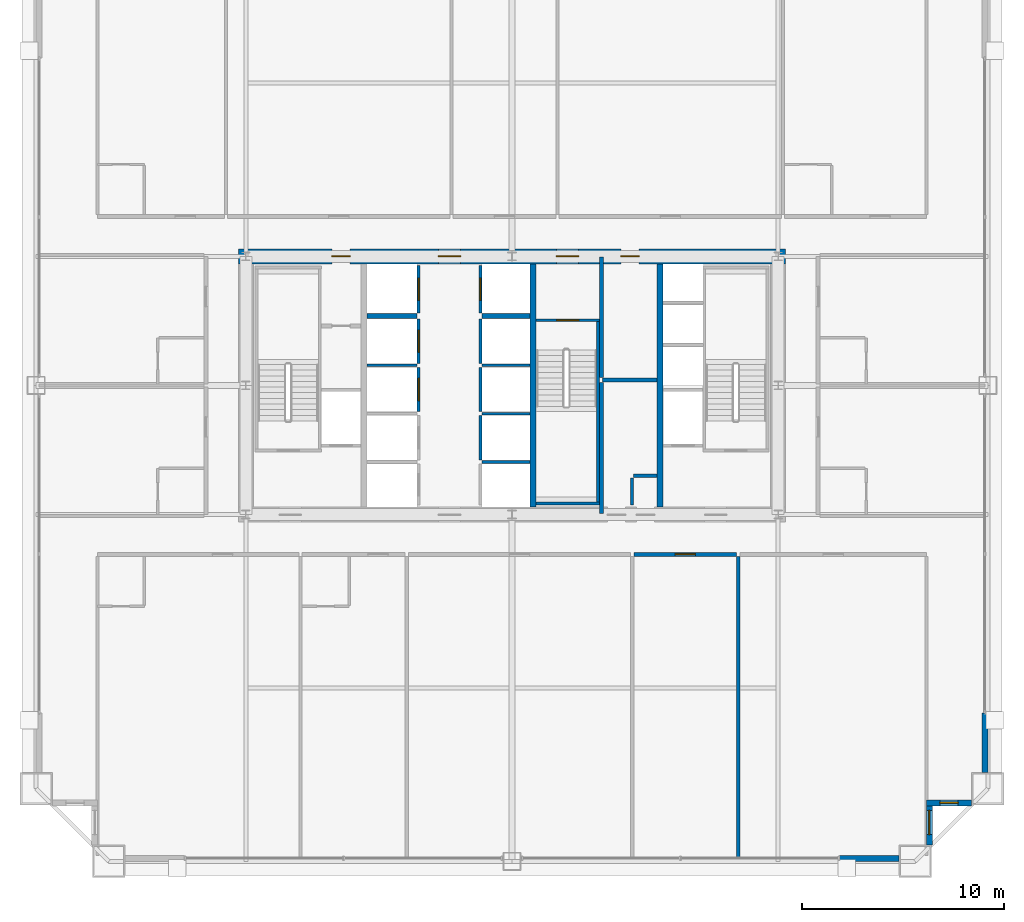
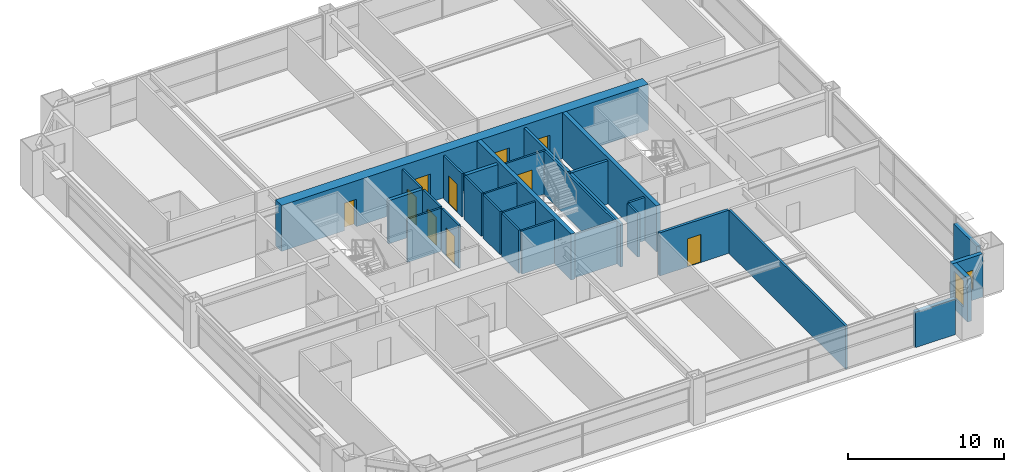
# One storey, part 36 of 39: 30 walls, 10 doors, 2 windows, 12 openings.
"""IFC4 building model written with IfcOpenShell, lengths in metres."""

from ifc_helpers import new_model, si_unit, direction, frame, frame_2d, origin, place, context, subcontext, project, spatial, rectangle, extrude, source, transform, mapped, material, layer, layer_set, type_object, element, fill, save


model = new_model("IFC4")

# Units and contexts
model_context = context("Model", 3, precision=1e-05, world=origin(), true_north=direction((0.0, 1.0)))
body_context = subcontext(model_context, "Body", "Model", "MODEL_VIEW")
ifc_project = project(units=[si_unit("LENGTHUNIT", "METRE"), si_unit("AREAUNIT", "SQUARE_METRE"), si_unit("VOLUMEUNIT", "CUBIC_METRE"), si_unit("PLANEANGLEUNIT", "RADIAN"), si_unit("MASSUNIT", "GRAM", prefix="KILO"), si_unit("THERMODYNAMICTEMPERATUREUNIT", "KELVIN"), si_unit("POWERUNIT", "WATT")], contexts=[model_context])

# Site, building, storey
site_placement = place(None, origin())
site = spatial("IfcSite", under=ifc_project, at=site_placement, CompositionType="ELEMENT")
building_placement = place(site_placement, origin())
building = spatial("IfcBuilding", under=site, at=building_placement, Name="Yuzanri Waterfront Tower", CompositionType="ELEMENT")
storey_placement = place(building_placement, frame((0.0, 0.0, 134.39990234375)))
storey = spatial("IfcBuildingStorey", under=building, at=storey_placement, Name="L35", CompositionType="ELEMENT", Elevation=134.39990234375)

# Wall, opening, window
ifc_material_1 = material(Name="Honed Chongqing Dark Basalt Stone", Category="masonry")
ifc_layer_1 = layer(ifc_material_1, 0.300048828125)
ifc_layer_set_1 = layer_set([ifc_layer_1], Name="Honed Chongqing Dark Basalt Stone")
wall_type_1 = type_object("IfcWallType", Name="Bronze Rainscreen Insulated Spandrel Portal Wall 300", PredefinedType="SOLIDWALL", material=ifc_layer_set_1)
wall_1_placement = place(storey_placement, frame((57.550048828125, 5.10009765625, 0.0), z_axis=(0.0, 0.0, 1.0), x_axis=(1.0, 0.0, 0.0)))
wall_1 = element("IfcWall", 1, at=wall_1_placement, inside=storey, type_object=wall_type_1, Name="L35 Notched Corner Masonry Wall SE-X", PredefinedType="SOLIDWALL", context=body_context, shape_type="SweptSolid", body=[
    extrude(rectangle(XDim=2.25, YDim=0.300048828125, at=frame_2d((1.125, 0.0))), origin(), (0.0, 0.0, 1.0), 3.380126953125),
])
opening_1_placement = place(wall_1_placement, frame((0.675048828125, 0.0, 0.85009765625)))
opening_1 = element("IfcOpeningElement", 2, at=opening_1_placement, cuts=wall_1, Name="Opening WN-05", PredefinedType="OPENING", context=body_context, shape_type="SweptSolid", body=[
    extrude(rectangle(XDim=0.89990234375, YDim=1.5, at=frame_2d((0.449951171875, 0.75))), frame((0.0, 0.1650390625, 0.0), z_axis=(0.0, -1.0, 0.0), x_axis=(1.0, 0.0, 0.0)), (0.0, 0.0, 1.0), 0.329833984375),
])
ifc_material_2 = material(Name="Double-Silver Low-E Insulated Glass", Category="glass")
window_type_1 = type_object("IfcWindowType", Name="Anodized Bronze Service and Stairwell Smoke-Vent Window 900x1500", PartitioningType="SINGLE_PANEL", PredefinedType="WINDOW", material=ifc_material_2)
shared_shape_1 = source(origin(), body_context, "Body", "SweptSolid", [
    extrude(rectangle(XDim=0.89990234375, YDim=1.5, at=frame_2d((0.449951171875, 0.75))), frame((0.0, 0.030029296875, 0.0), z_axis=(0.0, -1.0, 0.0), x_axis=(1.0, 0.0, 0.0)), (0.0, 0.0, 1.0), 0.06005859375),
])
window_1_placement = place(opening_1_placement, origin())
window_1 = element("IfcWindow", 3, at=window_1_placement, inside=storey, type_object=window_type_1, Name="L35 Notched Corner Window SE-X", OverallHeight=1.5, OverallWidth=0.89990234375, PartitioningType="SINGLE_PANEL", PredefinedType="WINDOW", context=body_context, shape_type="MappedRepresentation", body=[
    mapped(shared_shape_1, transform((0.0, 0.0, 0.0), scale=1.0)),
])
fill(opening_1, window_1)

wall_2_placement = place(storey_placement, frame((57.699951171875, 3.0, 0.0), z_axis=(0.0, 0.0, 1.0), x_axis=(0.0, 1.0, 0.0)))
wall_2 = element("IfcWall", 4, at=wall_2_placement, inside=storey, type_object=wall_type_1, Name="L35 Notched Corner Masonry Wall SE-Y", PredefinedType="SOLIDWALL", context=body_context, shape_type="SweptSolid", body=[
    extrude(rectangle(XDim=2.25, YDim=0.300048828125, at=frame_2d((1.125, 0.0))), origin(), (0.0, 0.0, 1.0), 3.380126953125),
])
opening_2_placement = place(wall_2_placement, frame((0.52490234375, 0.0, 0.85009765625)))
opening_2 = element("IfcOpeningElement", 5, at=opening_2_placement, cuts=wall_2, Name="Opening WN-02", PredefinedType="OPENING", context=body_context, shape_type="SweptSolid", body=[
    extrude(rectangle(XDim=1.199951171875, YDim=2.10009765625, at=frame_2d((0.60009765625, 1.050048828125))), frame((0.0, 0.1650390625, 0.0), z_axis=(0.0, -1.0, 0.0), x_axis=(1.0, 0.0, 0.0)), (0.0, 0.0, 1.0), 0.329833984375),
])
ifc_material_3 = material(Name="Double-Silver Low-E Insulated Glass", Category="glass")
window_type_2 = type_object("IfcWindowType", Name="Anodized Bronze Notched Corner Deep-Set Slot Window 1200x2100", PartitioningType="SINGLE_PANEL", PredefinedType="WINDOW", material=ifc_material_3)
shared_shape_2 = source(origin(), body_context, "Body", "SweptSolid", [
    extrude(rectangle(XDim=1.199951171875, YDim=2.10009765625, at=frame_2d((0.60009765625, 1.050048828125))), frame((0.0, 0.030029296875, 0.0), z_axis=(0.0, -1.0, 0.0), x_axis=(1.0, 0.0, 0.0)), (0.0, 0.0, 1.0), 0.06005859375),
])
window_2_placement = place(opening_2_placement, origin())
window_2 = element("IfcWindow", 6, at=window_2_placement, inside=storey, type_object=window_type_2, Name="L35 Notched Corner Window SE-Y", OverallHeight=2.10009765625, OverallWidth=1.199951171875, PartitioningType="SINGLE_PANEL", PredefinedType="WINDOW", context=body_context, shape_type="MappedRepresentation", body=[
    mapped(shared_shape_2, transform((0.0, 0.0, 0.0), scale=1.0)),
])
fill(opening_2, window_2)

# Wall, openings, doors
ifc_material_4 = material(Name="Concrete C55", Category="concrete")
ifc_layer_2 = layer(ifc_material_4, 0.75)
ifc_layer_set_2 = layer_set([ifc_layer_2], Name="Concrete C55")
wall_type_2 = type_object("IfcWallType", Name="Concrete C55 Low-Mid Zone Core Shear Wall 750", PredefinedType="SHEAR", material=ifc_layer_set_2)
wall_3_placement = place(storey_placement, frame((23.425048828125, 32.199951171875, 0.0), z_axis=(0.0, 0.0, 1.0), x_axis=(1.0, 0.0, 0.0)))
wall_3 = element("IfcWall", 7, at=wall_3_placement, inside=storey, type_object=wall_type_2, Name="L35 Core North Shear Wall", PredefinedType="SHEAR", context=body_context, shape_type="SweptSolid", body=[
    extrude(rectangle(XDim=27.14990234375, YDim=0.75, at=frame_2d((13.574951171875, 0.0))), origin(), (0.0, 0.0, 1.0), 3.60009765625),
])
opening_3_placement = place(wall_3_placement, frame((4.64501953125, 0.0, 0.0)))
opening_3 = element("IfcOpeningElement", 8, at=opening_3_placement, cuts=wall_3, Name="Opening FD-0900", PredefinedType="OPENING", context=body_context, shape_type="SweptSolid", body=[
    extrude(rectangle(XDim=0.89990234375, YDim=2.14990234375, at=frame_2d((0.449951171875, 1.074951171875))), frame((0.0, 0.389892578125, 0.0), z_axis=(0.0, -1.0, 0.0), x_axis=(1.0, 0.0, 0.0)), (0.0, 0.0, 1.0), 0.77978515625),
])
opening_4_placement = place(wall_3_placement, frame((9.925048828125, 0.0, 0.0)))
opening_4 = element("IfcOpeningElement", 9, at=opening_4_placement, cuts=wall_3, Name="Opening FD-1100", PredefinedType="OPENING", context=body_context, shape_type="SweptSolid", body=[
    extrude(rectangle(XDim=1.10009765625, YDim=2.199951171875, at=frame_2d((0.550048828125, 1.10009765625))), frame((0.0, 0.389892578125, 0.0), z_axis=(0.0, -1.0, 0.0), x_axis=(1.0, 0.0, 0.0)), (0.0, 0.0, 1.0), 0.77978515625),
])
opening_5_placement = place(wall_3_placement, frame((15.77490234375, 0.0, 0.0)))
opening_5 = element("IfcOpeningElement", 10, at=opening_5_placement, cuts=wall_3, Name="Opening FD-1100", PredefinedType="OPENING", context=body_context, shape_type="SweptSolid", body=[
    extrude(rectangle(XDim=1.10009765625, YDim=2.199951171875, at=frame_2d((0.550048828125, 1.10009765625))), frame((0.0, 0.389892578125, 0.0), z_axis=(0.0, -1.0, 0.0), x_axis=(1.0, 0.0, 0.0)), (0.0, 0.0, 1.0), 0.77978515625),
])
opening_6_placement = place(wall_3_placement, frame((18.97509765625, 0.0, 0.0)))
opening_6 = element("IfcOpeningElement", 11, at=opening_6_placement, cuts=wall_3, Name="Opening FD-0900", PredefinedType="OPENING", context=body_context, shape_type="SweptSolid", body=[
    extrude(rectangle(XDim=0.89990234375, YDim=2.14990234375, at=frame_2d((0.449951171875, 1.074951171875))), frame((0.0, 0.389892578125, 0.0), z_axis=(0.0, -1.0, 0.0), x_axis=(1.0, 0.0, 0.0)), (0.0, 0.0, 1.0), 0.77978515625),
])
ifc_material_5 = material(Name="Painted Galvanized Fire Steel", Category="steel")
door_type_1 = type_object("IfcDoorType", Name="Smoke-Proof Stair and Lobby Fire Door 1100x2200", OperationType="NOTDEFINED", PredefinedType="DOOR", material=ifc_material_5)
shared_shape_3 = source(origin(), body_context, "Body", "SweptSolid", [
    extrude(rectangle(XDim=1.10009765625, YDim=2.199951171875, at=frame_2d((0.550048828125, 1.10009765625))), frame((0.0, 0.02490234375, 0.0), z_axis=(0.0, -1.0, 0.0), x_axis=(1.0, 0.0, 0.0)), (0.0, 0.0, 1.0), 0.050048828125),
])
door_1_placement = place(opening_4_placement, origin())
door_1 = element("IfcDoor", 12, at=door_1_placement, inside=storey, type_object=door_type_1, Name="L35 Central Lift Lobby North Door", OperationType="SINGLE_SWING_LEFT", OverallHeight=2.199951171875, OverallWidth=1.10009765625, PredefinedType="DOOR", context=body_context, shape_type="MappedRepresentation", body=[
    mapped(shared_shape_3, transform((0.0, 0.0, 0.0), scale=1.0)),
])
fill(opening_4, door_1)
door_2_placement = place(opening_5_placement, origin())
door_2 = element("IfcDoor", 13, at=door_2_placement, inside=storey, type_object=door_type_1, Name="L35 North Stair Lobby Door", OperationType="SINGLE_SWING_RIGHT", OverallHeight=2.199951171875, OverallWidth=1.10009765625, PredefinedType="DOOR", context=body_context, shape_type="MappedRepresentation", body=[
    mapped(shared_shape_3, transform((0.0, 0.0, 0.0), scale=1.0)),
])
fill(opening_5, door_2)
ifc_material_6 = material(Name="Painted Galvanized Fire Steel", Category="steel")
door_type_2 = type_object("IfcDoorType", Name="Riser and Service Room Fire Door 900x2150", OperationType="NOTDEFINED", PredefinedType="DOOR", material=ifc_material_6)
shared_shape_4 = source(origin(), body_context, "Body", "SweptSolid", [
    extrude(rectangle(XDim=0.89990234375, YDim=2.14990234375, at=frame_2d((0.449951171875, 1.074951171875))), frame((0.0, 0.02490234375, 0.0), z_axis=(0.0, -1.0, 0.0), x_axis=(1.0, 0.0, 0.0)), (0.0, 0.0, 1.0), 0.050048828125),
])
door_3_placement = place(opening_3_placement, origin())
door_3 = element("IfcDoor", 14, at=door_3_placement, inside=storey, type_object=door_type_2, Name="L35 Telecom Riser Door", OperationType="SINGLE_SWING_RIGHT", OverallHeight=2.14990234375, OverallWidth=0.89990234375, PredefinedType="DOOR", context=body_context, shape_type="MappedRepresentation", body=[
    mapped(shared_shape_4, transform((0.0, 0.0, 0.0), scale=1.0)),
])
fill(opening_3, door_3)
door_4_placement = place(opening_6_placement, origin())
door_4 = element("IfcDoor", 15, at=door_4_placement, inside=storey, type_object=door_type_2, Name="L35 Housekeeping Room", OperationType="SINGLE_SWING_RIGHT", OverallHeight=2.14990234375, OverallWidth=0.89990234375, PredefinedType="DOOR", context=body_context, shape_type="MappedRepresentation", body=[
    mapped(shared_shape_4, transform((0.0, 0.0, 0.0), scale=1.0)),
])
fill(opening_6, door_4)

# Wall, opening, door
ifc_material_7 = material(Name="Concrete C40", Category="concrete")
ifc_layer_3 = layer(ifc_material_7, 0.139892578125)
ifc_layer_set_3 = layer_set([ifc_layer_3], Name="Concrete C40")
wall_type_3 = type_object("IfcWallType", Name="Core Stair Liner and Hoistway Shaft Wall 140", PredefinedType="SOLIDWALL", material=ifc_layer_set_3)
wall_4_placement = place(storey_placement, frame((32.3701171875, 24.5, 0.0), z_axis=(0.0, 0.0, 1.0), x_axis=(0.0, 1.0, 0.0)))
wall_4 = element("IfcWall", 16, at=wall_4_placement, inside=storey, type_object=wall_type_3, Name="L35 Lift PL-03 Front Shaft Wall", PredefinedType="SOLIDWALL", context=body_context, shape_type="SweptSolid", body=[
    extrude(rectangle(XDim=2.199951171875, YDim=0.139892578125, at=frame_2d((1.10009765625, 0.0))), origin(), (0.0, 0.0, 1.0), 3.380126953125),
])
opening_7_placement = place(wall_4_placement, frame((0.550048828125, 0.0, 0.0)))
opening_7 = element("IfcOpeningElement", 17, at=opening_7_placement, cuts=wall_4, Name="Opening LD-PL-03", PredefinedType="OPENING", context=body_context, shape_type="SweptSolid", body=[
    extrude(rectangle(XDim=1.10009765625, YDim=2.199951171875, at=frame_2d((0.550048828125, 1.10009765625))), frame((0.0, 0.0849609375, 0.0), z_axis=(0.0, -1.0, 0.0), x_axis=(1.0, 0.0, 0.0)), (0.0, 0.0, 1.0), 0.169677734375),
])
ifc_material_8 = material(Name="Brushed Bronze and Stainless Steel Cab", Category="steel")
door_type_3 = type_object("IfcDoorType", Name="Center-Parting Bronze Lift Landing Sliding Door 1100x2200", OperationType="NOTDEFINED", PredefinedType="DOOR", material=ifc_material_8)
shared_shape_5 = source(origin(), body_context, "Body", "SweptSolid", [
    extrude(rectangle(XDim=1.10009765625, YDim=2.199951171875, at=frame_2d((0.550048828125, 1.10009765625))), frame((0.0, 0.02490234375, 0.0), z_axis=(0.0, -1.0, 0.0), x_axis=(1.0, 0.0, 0.0)), (0.0, 0.0, 1.0), 0.050048828125),
])
door_5_placement = place(opening_7_placement, origin())
door_5 = element("IfcDoor", 18, at=door_5_placement, inside=storey, type_object=door_type_3, Name="L35 PL-03 Lift Landing Sliding Door", OperationType="SLIDING_TO_LEFT", OverallHeight=2.199951171875, OverallWidth=1.10009765625, PredefinedType="DOOR", context=body_context, shape_type="MappedRepresentation", body=[
    mapped(shared_shape_5, transform((0.0, 0.0, 0.0), scale=1.0)),
])
fill(opening_7, door_5)

wall_5_placement = place(storey_placement, frame((32.3701171875, 26.89990234375, 0.0), z_axis=(0.0, 0.0, 1.0), x_axis=(0.0, 1.0, 0.0)))
wall_5 = element("IfcWall", 19, at=wall_5_placement, inside=storey, type_object=wall_type_3, Name="L35 Lift PL-04 Front Shaft Wall", PredefinedType="SOLIDWALL", context=body_context, shape_type="SweptSolid", body=[
    extrude(rectangle(XDim=2.2001953125, YDim=0.139892578125, at=frame_2d((1.10009765625, 0.0))), origin(), (0.0, 0.0, 1.0), 3.380126953125),
])
opening_8_placement = place(wall_5_placement, frame((0.550048828125, 0.0, 0.0)))
opening_8 = element("IfcOpeningElement", 20, at=opening_8_placement, cuts=wall_5, Name="Opening LD-PL-04", PredefinedType="OPENING", context=body_context, shape_type="SweptSolid", body=[
    extrude(rectangle(XDim=1.10009765625, YDim=2.199951171875, at=frame_2d((0.550048828125, 1.10009765625))), frame((0.0, 0.0849609375, 0.0), z_axis=(0.0, -1.0, 0.0), x_axis=(1.0, 0.0, 0.0)), (0.0, 0.0, 1.0), 0.169677734375),
])
door_6_placement = place(opening_8_placement, origin())
door_6 = element("IfcDoor", 21, at=door_6_placement, inside=storey, type_object=door_type_3, Name="L35 PL-04 Lift Landing Sliding Door", OperationType="SLIDING_TO_RIGHT", OverallHeight=2.199951171875, OverallWidth=1.10009765625, PredefinedType="DOOR", context=body_context, shape_type="MappedRepresentation", body=[
    mapped(shared_shape_5, transform((0.0, 0.0, 0.0), scale=1.0)),
])
fill(opening_8, door_6)

wall_6_placement = place(storey_placement, frame((32.3701171875, 29.39990234375, 0.0), z_axis=(0.0, 0.0, 1.0), x_axis=(0.0, 1.0, 0.0)))
wall_6 = element("IfcWall", 22, at=wall_6_placement, inside=storey, type_object=wall_type_3, Name="L35 Lift SL-01 Front Shaft Wall", PredefinedType="SOLIDWALL", context=body_context, shape_type="SweptSolid", body=[
    extrude(rectangle(XDim=2.340087890625, YDim=0.139892578125, at=frame_2d((1.169921875, 0.0))), origin(), (0.0, 0.0, 1.0), 3.380126953125),
])
opening_9_placement = place(wall_6_placement, frame((0.6201171875, 0.0, 0.0)))
opening_9 = element("IfcOpeningElement", 23, at=opening_9_placement, cuts=wall_6, Name="Opening LD-SL-01", PredefinedType="OPENING", context=body_context, shape_type="SweptSolid", body=[
    extrude(rectangle(XDim=1.10009765625, YDim=2.199951171875, at=frame_2d((0.550048828125, 1.10009765625))), frame((0.0, 0.0849609375, 0.0), z_axis=(0.0, -1.0, 0.0), x_axis=(1.0, 0.0, 0.0)), (0.0, 0.0, 1.0), 0.169677734375),
])
door_7_placement = place(opening_9_placement, origin())
door_7 = element("IfcDoor", 24, at=door_7_placement, inside=storey, type_object=door_type_3, Name="L35 SL-01 Lift Landing Sliding Door", OperationType="SLIDING_TO_LEFT", OverallHeight=2.199951171875, OverallWidth=1.10009765625, PredefinedType="DOOR", context=body_context, shape_type="MappedRepresentation", body=[
    mapped(shared_shape_5, transform((0.0, 0.0, 0.0), scale=1.0)),
])
fill(opening_9, door_7)

wall_7_placement = place(storey_placement, frame((35.429931640625, 29.39990234375, 0.0), z_axis=(0.0, 0.0, 1.0), x_axis=(0.0, 1.0, 0.0)))
wall_7 = element("IfcWall", 25, at=wall_7_placement, inside=storey, type_object=wall_type_3, Name="L35 Lift SL-02 Front Shaft Wall", PredefinedType="SOLIDWALL", context=body_context, shape_type="SweptSolid", body=[
    extrude(rectangle(XDim=2.340087890625, YDim=0.139892578125, at=frame_2d((1.169921875, 0.0))), origin(), (0.0, 0.0, 1.0), 3.380126953125),
])
opening_10_placement = place(wall_7_placement, frame((0.6201171875, 0.0, 0.0)))
opening_10 = element("IfcOpeningElement", 26, at=opening_10_placement, cuts=wall_7, Name="Opening LD-SL-02", PredefinedType="OPENING", context=body_context, shape_type="SweptSolid", body=[
    extrude(rectangle(XDim=1.10009765625, YDim=2.199951171875, at=frame_2d((0.550048828125, 1.10009765625))), frame((0.0, 0.0849609375, 0.0), z_axis=(0.0, -1.0, 0.0), x_axis=(1.0, 0.0, 0.0)), (0.0, 0.0, 1.0), 0.169677734375),
])
door_8_placement = place(opening_10_placement, origin())
door_8 = element("IfcDoor", 27, at=door_8_placement, inside=storey, type_object=door_type_3, Name="L35 SL-02 Lift Landing Sliding Door", OperationType="SLIDING_TO_RIGHT", OverallHeight=2.199951171875, OverallWidth=1.10009765625, PredefinedType="DOOR", context=body_context, shape_type="MappedRepresentation", body=[
    mapped(shared_shape_5, transform((0.0, 0.0, 0.0), scale=1.0)),
])
fill(opening_10, door_8)

wall_8_placement = place(storey_placement, frame((38.199951171875, 29.030029296875, 0.0), z_axis=(0.0, 0.0, 1.0), x_axis=(1.0, 0.0, 0.0)))
wall_8 = element("IfcWall", 28, at=wall_8_placement, inside=storey, type_object=wall_type_3, Name="L35 Shaft Wall STW-L35-ST-03-N", PredefinedType="SOLIDWALL", context=body_context, shape_type="SweptSolid", body=[
    extrude(rectangle(XDim=3.14013671875, YDim=0.139892578125, at=frame_2d((1.570068359375, 0.0))), origin(), (0.0, 0.0, 1.0), 3.380126953125),
])
opening_11_placement = place(wall_8_placement, frame((1.02001953125, 0.0, 0.0)))
opening_11 = element("IfcOpeningElement", 29, at=opening_11_placement, cuts=wall_8, Name="Opening FD-1100", PredefinedType="OPENING", context=body_context, shape_type="SweptSolid", body=[
    extrude(rectangle(XDim=1.10009765625, YDim=2.199951171875, at=frame_2d((0.550048828125, 1.10009765625))), frame((0.0, 0.0849609375, 0.0), z_axis=(0.0, -1.0, 0.0), x_axis=(1.0, 0.0, 0.0)), (0.0, 0.0, 1.0), 0.169677734375),
])
door_9_placement = place(opening_11_placement, origin())
door_9 = element("IfcDoor", 30, at=door_9_placement, inside=storey, type_object=door_type_1, Name="L35 Stair ST-03 Fire Door", OperationType="SINGLE_SWING_RIGHT", OverallHeight=2.199951171875, OverallWidth=1.10009765625, PredefinedType="DOOR", context=body_context, shape_type="MappedRepresentation", body=[
    mapped(shared_shape_3, transform((0.0, 0.0, 0.0), scale=1.0)),
])
fill(opening_11, door_9)

ifc_material_9 = material(Name="Autoclaved Aerated Concrete Blockwork", Category="masonry")
ifc_layer_4 = layer(ifc_material_9, 0.199951171875)
ifc_layer_set_4 = layer_set([ifc_layer_4], Name="Autoclaved Aerated Concrete Blockwork")
wall_type_4 = type_object("IfcWallType", Name="Corridor and Unit Party Fire Wall 200", PredefinedType="PARTITIONING", material=ifc_layer_set_4)
wall_9_placement = place(storey_placement, frame((43.0419921875, 17.419921875, 0.0), z_axis=(0.0, 0.0, 1.0), x_axis=(1.0, 0.0, 0.0)))
wall_9 = element("IfcWall", 31, at=wall_9_placement, inside=storey, type_object=wall_type_4, Name="L35 Partition UW-L35-S4-CN", PredefinedType="PARTITIONING", context=body_context, shape_type="SweptSolid", body=[
    extrude(rectangle(XDim=5.10400390625, YDim=0.199951171875, at=frame_2d((2.552001953125, 0.0))), origin(), (0.0, 0.0, 1.0), 3.380126953125),
])
opening_12_placement = place(wall_9_placement, frame((2.052001953125, 0.0, 0.0)))
opening_12 = element("IfcOpeningElement", 32, at=opening_12_placement, cuts=wall_9, Name="Opening FD-1000", PredefinedType="OPENING", context=body_context, shape_type="SweptSolid", body=[
    extrude(rectangle(XDim=1.0, YDim=2.199951171875, at=frame_2d((0.5, 1.10009765625))), frame((0.0, 0.11474609375, 0.0), z_axis=(0.0, -1.0, 0.0), x_axis=(1.0, 0.0, 0.0)), (0.0, 0.0, 1.0), 0.229736328125),
])
ifc_material_10 = material(Name="Engineered Oak Fire-Rated Timber", Category="wood")
door_type_4 = type_object("IfcDoorType", Name="Guestroom and Apartment Entrance Fire Door 1000x2200", OperationType="NOTDEFINED", PredefinedType="DOOR", material=ifc_material_10)
shared_shape_6 = source(origin(), body_context, "Body", "SweptSolid", [
    extrude(rectangle(XDim=1.0, YDim=2.199951171875, at=frame_2d((0.5, 1.10009765625))), frame((0.0, 0.02490234375, 0.0), z_axis=(0.0, -1.0, 0.0), x_axis=(1.0, 0.0, 0.0)), (0.0, 0.0, 1.0), 0.050048828125),
])
door_10_placement = place(opening_12_placement, origin())
door_10 = element("IfcDoor", 33, at=door_10_placement, inside=storey, type_object=door_type_4, Name="L35 Pilates Gym Studio Entrance Door", OperationType="SINGLE_SWING_RIGHT", OverallHeight=2.199951171875, OverallWidth=1.0, PredefinedType="DOOR", context=body_context, shape_type="MappedRepresentation", body=[
    mapped(shared_shape_6, transform((0.0, 0.0, 0.0), scale=1.0)),
])
fill(opening_12, door_10)

# Walls
ifc_material_11 = material(Name="Concrete C50", Category="concrete")
ifc_layer_5 = layer(ifc_material_11, 0.300048828125)
ifc_layer_set_5 = layer_set([ifc_layer_5], Name="Concrete C50")
wall_type_5 = type_object("IfcWallType", Name="Concrete C50 Internal Core Shaft Structural Wall 300", PredefinedType="SOLIDWALL", material=ifc_layer_set_5)
shared_shape_7 = source(origin(), body_context, "Body", "SweptSolid", [
    extrude(rectangle(XDim=12.050048828125, YDim=0.300048828125, at=frame_2d((6.02490234375, 0.0))), origin(), (0.0, 0.0, 1.0), 3.60009765625),
])
for number, where, z_axis, x_axis, name in (
    (34, (38.050048828125, 19.77490234375, 0.0), (0.0, 0.0, 1.0), (0.0, 1.0, 0.0), "L35 Core Internal Structural Web Wall 2"),
    (35, (44.35009765625, 19.77490234375, 0.0), (0.0, 0.0, 1.0), (0.0, 1.0, 0.0), "L35 Core Internal Structural Web Wall 3"),
):
    element("IfcWall", number, at=place(storey_placement, frame(where, z_axis=z_axis, x_axis=x_axis)), inside=storey, type_object=wall_type_5, Name=name, PredefinedType="SOLIDWALL", context=body_context, shape_type="MappedRepresentation", body=[
        mapped(shared_shape_7, transform((0.0, 0.0, 0.0), scale=1.0)),
    ])
shared_shape_8 = source(origin(), body_context, "Body", "SweptSolid", [
    extrude(rectangle(XDim=2.949951171875, YDim=0.300048828125, at=frame_2d((1.47509765625, 0.0))), origin(), (0.0, 0.0, 1.0), 2.775146484375),
])
for number, where, z_axis, x_axis, name in (
    (36, (53.25, 2.35009765625, 0.0), (0.0, 0.0, 1.0), (1.0, 0.0, 0.0), "L35 S Right Braced Masonry Shoulder"),
    (37, (60.449951171875, 6.60009765625, 0.0), (0.0, 0.0, 1.0), (0.0, 1.0, 0.0), "L35 E Left Braced Masonry Shoulder"),
):
    element("IfcWall", number, at=place(storey_placement, frame(where, z_axis=z_axis, x_axis=x_axis)), inside=storey, type_object=wall_type_1, Name=name, PredefinedType="SOLIDWALL", context=body_context, shape_type="MappedRepresentation", body=[
        mapped(shared_shape_8, transform((0.0, 0.0, 0.0), scale=1.0)),
    ])
shared_shape_9 = source(origin(), body_context, "Body", "SweptSolid", [
    extrude(rectangle(XDim=2.5, YDim=0.139892578125, at=frame_2d((1.25, 0.0))), origin(), (0.0, 0.0, 1.0), 3.380126953125),
])
wall_10_placement = place(storey_placement, frame((29.800048828125, 26.800048828125, 0.0), z_axis=(0.0, 0.0, 1.0), x_axis=(1.0, 0.0, 0.0)))
element("IfcWall", 38, at=wall_10_placement, inside=storey, type_object=wall_type_3, Name="L35 Lift PL-03 Divider Wall", PredefinedType="SOLIDWALL", context=body_context, shape_type="MappedRepresentation", body=[
    mapped(shared_shape_9, transform((0.0, 0.0, 0.0), scale=1.0)),
])
ifc_material_12 = material(Name="Concrete C40", Category="concrete")
ifc_layer_6 = layer(ifc_material_12, 0.25)
ifc_layer_set_6 = layer_set([ifc_layer_6], Name="Concrete C40")
wall_type_6 = type_object("IfcWallType", Name="Smoke-Proof Stair and Lift Shaft Wall 250", PredefinedType="SOLIDWALL", material=ifc_layer_set_6)
shared_shape_10 = source(origin(), body_context, "Body", "SweptSolid", [
    extrude(rectangle(XDim=2.5, YDim=0.25, at=frame_2d((1.25, 0.0))), origin(), (0.0, 0.0, 1.0), 3.380126953125),
])
wall_11_placement = place(storey_placement, frame((29.800048828125, 29.25, 0.0), z_axis=(0.0, 0.0, 1.0), x_axis=(1.0, 0.0, 0.0)))
element("IfcWall", 39, at=wall_11_placement, inside=storey, type_object=wall_type_6, Name="L35 Lift SL-01 South Shaft Wall", PredefinedType="SOLIDWALL", context=body_context, shape_type="MappedRepresentation", body=[
    mapped(shared_shape_10, transform((0.0, 0.0, 0.0), scale=1.0)),
])
shared_shape_11 = source(origin(), body_context, "Body", "SweptSolid", [
    extrude(rectangle(XDim=2.39990234375, YDim=0.139892578125, at=frame_2d((1.199951171875, 0.0))), origin(), (0.0, 0.0, 1.0), 3.380126953125),
])
for number, where, z_axis, x_axis, name in (
    (40, (35.5, 22.0, 0.0), (0.0, 0.0, 1.0), (1.0, 0.0, 0.0), "L35 Lift PL-05 Divider Wall"),
    (41, (35.5, 24.39990234375, 0.0), (0.0, 0.0, 1.0), (1.0, 0.0, 0.0), "L35 Lift PL-06 Divider Wall"),
    (42, (35.5, 26.800048828125, 0.0), (0.0, 0.0, 1.0), (1.0, 0.0, 0.0), "L35 Lift PL-07 Divider Wall"),
):
    element("IfcWall", number, at=place(storey_placement, frame(where, z_axis=z_axis, x_axis=x_axis)), inside=storey, type_object=wall_type_3, Name=name, PredefinedType="SOLIDWALL", context=body_context, shape_type="MappedRepresentation", body=[
        mapped(shared_shape_11, transform((0.0, 0.0, 0.0), scale=1.0)),
    ])
shared_shape_12 = source(origin(), body_context, "Body", "SweptSolid", [
    extrude(rectangle(XDim=2.199951171875, YDim=0.139892578125, at=frame_2d((1.10009765625, 0.0))), origin(), (0.0, 0.0, 1.0), 3.380126953125),
])
for number, where, z_axis, x_axis, name in (
    (43, (35.429931640625, 22.10009765625, 0.0), (0.0, 0.0, 1.0), (0.0, 1.0, 0.0), "L35 Lift PL-06 Front Shaft Wall"),
    (44, (35.429931640625, 24.5, 0.0), (0.0, 0.0, 1.0), (0.0, 1.0, 0.0), "L35 Lift PL-07 Front Shaft Wall"),
):
    element("IfcWall", number, at=place(storey_placement, frame(where, z_axis=z_axis, x_axis=x_axis)), inside=storey, type_object=wall_type_3, Name=name, PredefinedType="SOLIDWALL", context=body_context, shape_type="MappedRepresentation", body=[
        mapped(shared_shape_12, transform((0.0, 0.0, 0.0), scale=1.0)),
    ])
shared_shape_13 = source(origin(), body_context, "Body", "SweptSolid", [
    extrude(rectangle(XDim=2.2001953125, YDim=0.139892578125, at=frame_2d((1.10009765625, 0.0))), origin(), (0.0, 0.0, 1.0), 3.380126953125),
])
wall_12_placement = place(storey_placement, frame((35.429931640625, 26.89990234375, 0.0), z_axis=(0.0, 0.0, 1.0), x_axis=(0.0, 1.0, 0.0)))
element("IfcWall", 45, at=wall_12_placement, inside=storey, type_object=wall_type_3, Name="L35 Lift PL-08 Front Shaft Wall", PredefinedType="SOLIDWALL", context=body_context, shape_type="MappedRepresentation", body=[
    mapped(shared_shape_13, transform((0.0, 0.0, 0.0), scale=1.0)),
])
shared_shape_14 = source(origin(), body_context, "Body", "SweptSolid", [
    extrude(rectangle(XDim=2.39990234375, YDim=0.25, at=frame_2d((1.199951171875, 0.0))), origin(), (0.0, 0.0, 1.0), 3.380126953125),
])
wall_13_placement = place(storey_placement, frame((35.5, 29.25, 0.0), z_axis=(0.0, 0.0, 1.0), x_axis=(1.0, 0.0, 0.0)))
element("IfcWall", 46, at=wall_13_placement, inside=storey, type_object=wall_type_6, Name="L35 Lift SL-02 South Shaft Wall", PredefinedType="SOLIDWALL", context=body_context, shape_type="MappedRepresentation", body=[
    mapped(shared_shape_14, transform((0.0, 0.0, 0.0), scale=1.0)),
])
shared_shape_15 = source(origin(), body_context, "Body", "SweptSolid", [
    extrude(rectangle(XDim=3.14013671875, YDim=0.139892578125, at=frame_2d((1.570068359375, 0.0))), origin(), (0.0, 0.0, 1.0), 3.380126953125),
])
wall_14_placement = place(storey_placement, frame((38.199951171875, 19.949951171875, 0.0), z_axis=(0.0, 0.0, 1.0), x_axis=(1.0, 0.0, 0.0)))
element("IfcWall", 47, at=wall_14_placement, inside=storey, type_object=wall_type_3, Name="L35 Stair ST-03 South Shaft Wall", PredefinedType="SOLIDWALL", context=body_context, shape_type="MappedRepresentation", body=[
    mapped(shared_shape_15, transform((0.0, 0.0, 0.0), scale=1.0)),
])
shared_shape_16 = source(origin(), body_context, "Body", "SweptSolid", [
    extrude(rectangle(XDim=8.93994140625, YDim=0.139892578125, at=frame_2d((4.469970703125, 0.0))), origin(), (0.0, 0.0, 1.0), 3.380126953125),
])
wall_15_placement = place(storey_placement, frame((41.27001953125, 20.02001953125, 0.0), z_axis=(0.0, 0.0, 1.0), x_axis=(0.0, 1.0, 0.0)))
element("IfcWall", 48, at=wall_15_placement, inside=storey, type_object=wall_type_3, Name="L35 Stair ST-03 East Shaft Wall", PredefinedType="SOLIDWALL", context=body_context, shape_type="MappedRepresentation", body=[
    mapped(shared_shape_16, transform((0.0, 0.0, 0.0), scale=1.0)),
])
ifc_material_13 = material(Name="Gypsum Fireboard Acoustic Stud Wall", Category="gypsum")
ifc_layer_7 = layer(ifc_material_13, 0.159912109375)
ifc_layer_set_7 = layer_set([ifc_layer_7], Name="Gypsum Fireboard Acoustic Stud Wall")
wall_type_7 = type_object("IfcWallType", Name="Acoustic Suite Demising Partition 160", PredefinedType="PARTITIONING", material=ifc_layer_set_7)
shared_shape_17 = source(origin(), body_context, "Body", "SweptSolid", [
    extrude(rectangle(XDim=1.33984375, YDim=0.159912109375, at=frame_2d((0.669921875, 0.0))), origin(), (0.0, 0.0, 1.0), 3.380126953125),
])
wall_16_placement = place(storey_placement, frame((42.949951171875, 19.860107421875, 0.0), z_axis=(0.0, 0.0, 1.0), x_axis=(0.0, 1.0, 0.0)))
element("IfcWall", 49, at=wall_16_placement, inside=storey, type_object=wall_type_7, Name="L35 East Wet Riser West Wall", PredefinedType="PARTITIONING", context=body_context, shape_type="MappedRepresentation", body=[
    mapped(shared_shape_17, transform((0.0, 0.0, 0.0), scale=1.0)),
])
shared_shape_18 = source(origin(), body_context, "Body", "SweptSolid", [
    extrude(rectangle(XDim=1.169921875, YDim=0.159912109375, at=frame_2d((0.5849609375, 0.0))), origin(), (0.0, 0.0, 1.0), 3.380126953125),
])
wall_17_placement = place(storey_placement, frame((43.030029296875, 21.320068359375, 0.0), z_axis=(0.0, 0.0, 1.0), x_axis=(1.0, 0.0, 0.0)))
element("IfcWall", 50, at=wall_17_placement, inside=storey, type_object=wall_type_7, Name="L35 East Wet Riser North Wall", PredefinedType="PARTITIONING", context=body_context, shape_type="MappedRepresentation", body=[
    mapped(shared_shape_18, transform((0.0, 0.0, 0.0), scale=1.0)),
])
shared_shape_19 = source(origin(), body_context, "Body", "SweptSolid", [
    extrude(rectangle(XDim=6.510009765625, YDim=0.199951171875, at=frame_2d((3.2548828125, 0.0))), origin(), (0.0, 0.0, 1.0), 3.380126953125),
])
wall_18_placement = place(storey_placement, frame((41.449951171875, 19.43994140625, 0.0), z_axis=(0.0, 0.0, 1.0), x_axis=(0.0, 1.0, 0.0)))
element("IfcWall", 51, at=wall_18_placement, inside=storey, type_object=wall_type_4, Name="L35 Core BOH West Wall 1", PredefinedType="PARTITIONING", context=body_context, shape_type="MappedRepresentation", body=[
    mapped(shared_shape_19, transform((0.0, 0.0, 0.0), scale=1.0)),
])
shared_shape_20 = source(origin(), body_context, "Body", "SweptSolid", [
    extrude(rectangle(XDim=2.699951171875, YDim=0.199951171875, at=frame_2d((1.35009765625, 0.0))), origin(), (0.0, 0.0, 1.0), 3.380126953125),
])
wall_19_placement = place(storey_placement, frame((41.5, 26.070068359375, 0.0), z_axis=(0.0, 0.0, 1.0), x_axis=(1.0, 0.0, 0.0)))
element("IfcWall", 52, at=wall_19_placement, inside=storey, type_object=wall_type_4, Name="L35 Core BOH Split Wall 1", PredefinedType="PARTITIONING", context=body_context, shape_type="MappedRepresentation", body=[
    mapped(shared_shape_20, transform((0.0, 0.0, 0.0), scale=1.0)),
])
shared_shape_21 = source(origin(), body_context, "Body", "SweptSolid", [
    extrude(rectangle(XDim=5.9599609375, YDim=0.199951171875, at=frame_2d((2.97998046875, 0.0))), origin(), (0.0, 0.0, 1.0), 3.380126953125),
])
wall_20_placement = place(storey_placement, frame((41.449951171875, 26.199951171875, 0.0), z_axis=(0.0, 0.0, 1.0), x_axis=(0.0, 1.0, 0.0)))
element("IfcWall", 53, at=wall_20_placement, inside=storey, type_object=wall_type_4, Name="L35 Core BOH West Wall 2", PredefinedType="PARTITIONING", context=body_context, shape_type="MappedRepresentation", body=[
    mapped(shared_shape_21, transform((0.0, 0.0, 0.0), scale=1.0)),
])
shared_shape_22 = source(origin(), body_context, "Body", "SweptSolid", [
    extrude(rectangle(XDim=14.969970703125, YDim=0.159912109375, at=frame_2d((7.48486328125, 0.0))), origin(), (0.0, 0.0, 1.0), 3.380126953125),
])
wall_21_placement = place(storey_placement, frame((48.22607421875, 2.35009765625, 0.0), z_axis=(0.0, 0.0, 1.0), x_axis=(0.0, 1.0, 0.0)))
element("IfcWall", 54, at=wall_21_placement, inside=storey, type_object=wall_type_7, Name="L35-S4 Party Wall", PredefinedType="PARTITIONING", context=body_context, shape_type="MappedRepresentation", body=[
    mapped(shared_shape_22, transform((0.0, 0.0, 0.0), scale=1.0)),
])

save(model, "model.ifc")
